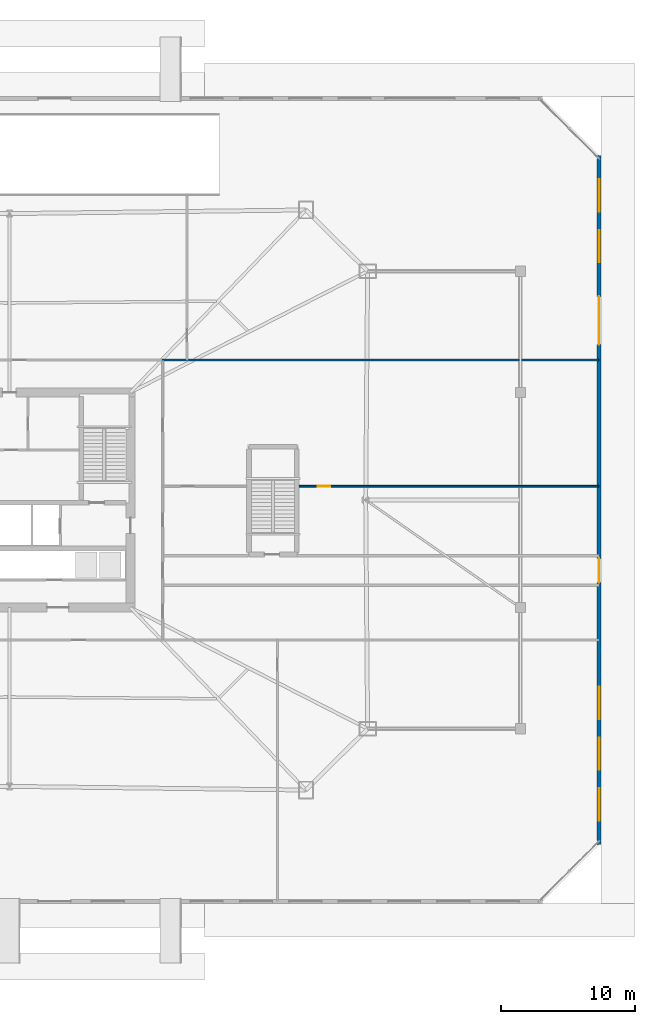
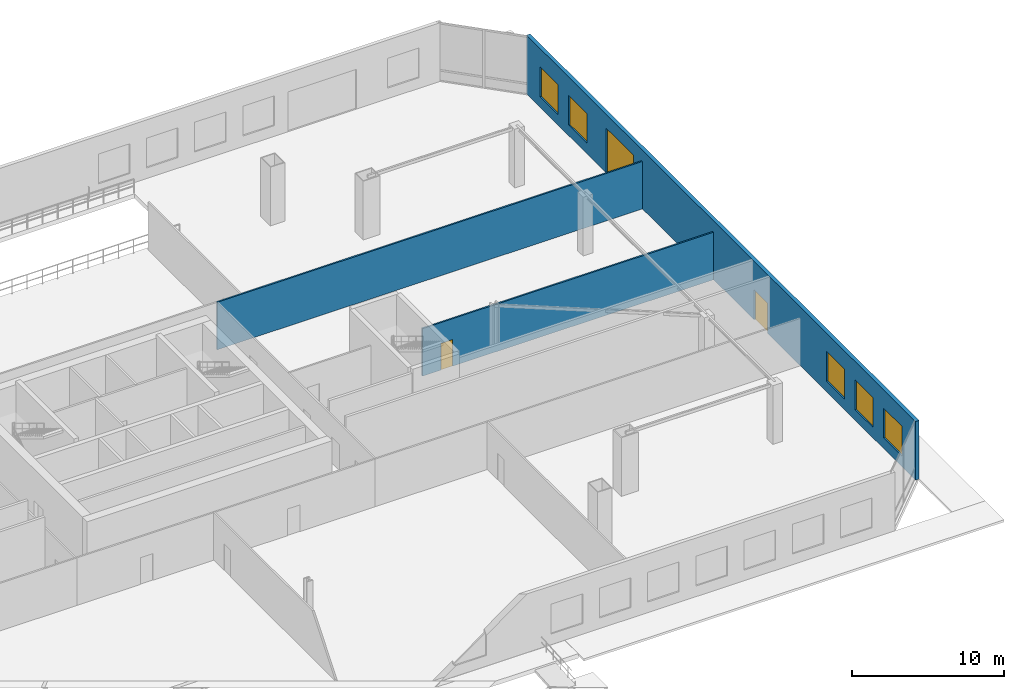
# One storey, part 17 of 23: 5 windows, 3 doors, 3 walls, 8 openings.
"""IFC4 building model written with IfcOpenShell, lengths in metres."""

from ifc_helpers import new_model, si_unit, direction, frame, frame_2d, origin, place, context, subcontext, project, spatial, rectangle, extrude, material, layer, layer_set, type_object, element, fill, save


model = new_model("IFC4")

# Units and contexts
model_context = context("Model", 3, precision=1e-05, world=origin(), true_north=direction((0.0, 1.0)))
body_context = subcontext(model_context, "Body", "Model", "MODEL_VIEW")
ifc_project = project(units=[si_unit("LENGTHUNIT", "METRE"), si_unit("AREAUNIT", "SQUARE_METRE"), si_unit("VOLUMEUNIT", "CUBIC_METRE"), si_unit("PLANEANGLEUNIT", "RADIAN"), si_unit("MASSUNIT", "GRAM", prefix="KILO")], contexts=[model_context])

# Site, building, storey
site_placement = place(None, origin())
site = spatial("IfcSite", under=ifc_project, at=site_placement, CompositionType="ELEMENT")
building_placement = place(site_placement, origin())
building = spatial("IfcBuilding", under=site, at=building_placement, Name="Caelvoria Tower", CompositionType="ELEMENT")
storey_placement = place(building_placement, origin())
storey = spatial("IfcBuildingStorey", under=building, at=storey_placement, Name="L00", CompositionType="ELEMENT", Elevation=0.0)

# Wall, openings, doors, windows
ifc_material_1 = material(Name="Precast Concrete C40/50 with Bronze Cladding", Category="concrete")
ifc_layer_1 = layer(ifc_material_1, 0.280029296875, Name="Precast Concrete C40/50 with Bronze Cladding")
ifc_layer_set_1 = layer_set([ifc_layer_1], Name="Exterior Precast Concrete C40/50 Bronze-Clad Facade Wall 280 - Precast Concrete C40/50 with Bronze Cladding")
wall_type_1 = type_object("IfcWallType", Name="Exterior Precast Concrete C40/50 Bronze-Clad Facade Wall 280", PredefinedType="STANDARD", material=ifc_layer_set_1)
wall_1_placement = place(storey_placement, frame((89.860107421875, 6.360107421875, 0.0), z_axis=(0.0, 0.0, 1.0), x_axis=(0.0, 1.0, 0.0)))
wall_1 = element("IfcWall", 1, at=wall_1_placement, inside=storey, type_object=wall_type_1, Name="Exterior Facade Wall L00-E2", PredefinedType="STANDARD", context=body_context, shape_type="SweptSolid", body=[
    extrude(rectangle(XDim=51.27978515625, YDim=0.280029296875, at=frame_2d((25.639892578125, 0.0))), origin(), (0.0, 0.0, 1.0), 4.719970703125),
])
opening_1_placement = place(wall_1_placement, frame((19.489990234375, 0.0, 0.0)))
opening_1 = element("IfcOpeningElement", 2, at=opening_1_placement, cuts=wall_1, Name="Opening ED-02", PredefinedType="OPENING", context=body_context, shape_type="SweptSolid", body=[
    extrude(rectangle(XDim=1.800048828125, YDim=2.39990234375, at=frame_2d((0.89990234375, 1.199951171875))), frame((0.0, 0.14990234375, 0.0), z_axis=(0.0, -1.0, 0.0), x_axis=(1.0, 0.0, 0.0)), (0.0, 0.0, 1.0), 0.300048828125),
])
opening_2_placement = place(wall_1_placement, frame((37.18994140625, 0.0, 0.0)))
opening_2 = element("IfcOpeningElement", 3, at=opening_2_placement, cuts=wall_1, Name="Opening GT-02", PredefinedType="OPENING", context=body_context, shape_type="SweptSolid", body=[
    extrude(rectangle(XDim=3.60009765625, YDim=3.60009765625, at=frame_2d((1.800048828125, 1.800048828125))), frame((0.0, 0.14990234375, 0.0), z_axis=(0.0, -1.0, 0.0), x_axis=(1.0, 0.0, 0.0)), (0.0, 0.0, 1.0), 0.300048828125),
])
opening_3_placement = place(wall_1_placement, frame((1.78759765625, 0.0, 0.85009765625)))
opening_3 = element("IfcOpeningElement", 4, at=opening_3_placement, cuts=wall_1, Name="Opening WN-04", PredefinedType="OPENING", context=body_context, shape_type="SweptSolid", body=[
    extrude(rectangle(XDim=2.39990234375, YDim=2.39990234375, at=frame_2d((1.199951171875, 1.199951171875))), frame((0.0, 0.14990234375, 0.0), z_axis=(0.0, -1.0, 0.0), x_axis=(1.0, 0.0, 0.0)), (0.0, 0.0, 1.0), 0.300048828125),
])
opening_4_placement = place(wall_1_placement, frame((5.56298828125, 0.0, 0.85009765625)))
opening_4 = element("IfcOpeningElement", 5, at=opening_4_placement, cuts=wall_1, Name="Opening WN-04", PredefinedType="OPENING", context=body_context, shape_type="SweptSolid", body=[
    extrude(rectangle(XDim=2.39990234375, YDim=2.39990234375, at=frame_2d((1.199951171875, 1.199951171875))), frame((0.0, 0.14990234375, 0.0), z_axis=(0.0, -1.0, 0.0), x_axis=(1.0, 0.0, 0.0)), (0.0, 0.0, 1.0), 0.300048828125),
])
opening_5_placement = place(wall_1_placement, frame((9.33837890625, 0.0, 0.85009765625)))
opening_5 = element("IfcOpeningElement", 6, at=opening_5_placement, cuts=wall_1, Name="Opening WN-04", PredefinedType="OPENING", context=body_context, shape_type="SweptSolid", body=[
    extrude(rectangle(XDim=2.39990234375, YDim=2.39990234375, at=frame_2d((1.199951171875, 1.199951171875))), frame((0.0, 0.14990234375, 0.0), z_axis=(0.0, -1.0, 0.0), x_axis=(1.0, 0.0, 0.0)), (0.0, 0.0, 1.0), 0.300048828125),
])
opening_6_placement = place(wall_1_placement, frame((43.31689453125, 0.0, 0.85009765625)))
opening_6 = element("IfcOpeningElement", 7, at=opening_6_placement, cuts=wall_1, Name="Opening WN-04", PredefinedType="OPENING", context=body_context, shape_type="SweptSolid", body=[
    extrude(rectangle(XDim=2.39990234375, YDim=2.39990234375, at=frame_2d((1.199951171875, 1.199951171875))), frame((0.0, 0.14990234375, 0.0), z_axis=(0.0, -1.0, 0.0), x_axis=(1.0, 0.0, 0.0)), (0.0, 0.0, 1.0), 0.300048828125),
])
opening_7_placement = place(wall_1_placement, frame((47.09228515625, 0.0, 0.85009765625)))
opening_7 = element("IfcOpeningElement", 8, at=opening_7_placement, cuts=wall_1, Name="Opening WN-04", PredefinedType="OPENING", context=body_context, shape_type="SweptSolid", body=[
    extrude(rectangle(XDim=2.39990234375, YDim=2.39990234375, at=frame_2d((1.199951171875, 1.199951171875))), frame((0.0, 0.14990234375, 0.0), z_axis=(0.0, -1.0, 0.0), x_axis=(1.0, 0.0, 0.0)), (0.0, 0.0, 1.0), 0.300048828125),
])
ifc_material_2 = material(Name="Galvanized Insulated Steel ASTM A653", Category="steel")
door_type_1 = type_object("IfcDoorType", Name="Loading Bay Insulated Roller Gate 3600x3600", OperationType="NOTDEFINED", PredefinedType="GATE", material=ifc_material_2)
door_1_placement = place(opening_2_placement, origin())
door_1 = element("IfcDoor", 9, at=door_1_placement, inside=storey, type_object=door_type_1, Name="Service Loading Bay Roller Gate", OperationType="ROLLINGUP", OverallHeight=3.60009765625, OverallWidth=3.60009765625, PredefinedType="GATE", context=body_context, shape_type="SweptSolid", body=[
    extrude(rectangle(XDim=3.60009765625, YDim=3.60009765625, at=frame_2d((1.800048828125, 1.800048828125))), frame((0.0, 0.02490234375, 0.0), z_axis=(0.0, -1.0, 0.0), x_axis=(1.0, 0.0, 0.0)), (0.0, 0.0, 1.0), 0.050048828125),
])
fill(opening_2, door_1)
ifc_material_3 = material(Name="Low-E Tinted Glass in Bronze Aluminium Frame", Category="aluminium")
window_type = type_object("IfcWindowType", Name="Podium Commercial Ribbon Window 2400x2400", PartitioningType="SINGLE_PANEL", PredefinedType="WINDOW", material=ifc_material_3)
window_1_placement = place(opening_3_placement, origin())
window_1 = element("IfcWindow", 10, at=window_1_placement, inside=storey, type_object=window_type, Name="Facade Window L00-E2-00", OverallHeight=2.39990234375, OverallWidth=2.39990234375, PartitioningType="SINGLE_PANEL", PredefinedType="WINDOW", context=body_context, shape_type="SweptSolid", body=[
    extrude(rectangle(XDim=2.39990234375, YDim=2.39990234375, at=frame_2d((1.199951171875, 1.199951171875))), frame((0.0, 0.030029296875, 0.0), z_axis=(0.0, -1.0, 0.0), x_axis=(1.0, 0.0, 0.0)), (0.0, 0.0, 1.0), 0.06005859375),
])
fill(opening_3, window_1)
window_2_placement = place(opening_4_placement, origin())
window_2 = element("IfcWindow", 11, at=window_2_placement, inside=storey, type_object=window_type, Name="Facade Window L00-E2-01", OverallHeight=2.39990234375, OverallWidth=2.39990234375, PartitioningType="SINGLE_PANEL", PredefinedType="WINDOW", context=body_context, shape_type="SweptSolid", body=[
    extrude(rectangle(XDim=2.39990234375, YDim=2.39990234375, at=frame_2d((1.199951171875, 1.199951171875))), frame((0.0, 0.030029296875, 0.0), z_axis=(0.0, -1.0, 0.0), x_axis=(1.0, 0.0, 0.0)), (0.0, 0.0, 1.0), 0.06005859375),
])
fill(opening_4, window_2)
window_3_placement = place(opening_5_placement, origin())
window_3 = element("IfcWindow", 12, at=window_3_placement, inside=storey, type_object=window_type, Name="Facade Window L00-E2-02", OverallHeight=2.39990234375, OverallWidth=2.39990234375, PartitioningType="SINGLE_PANEL", PredefinedType="WINDOW", context=body_context, shape_type="SweptSolid", body=[
    extrude(rectangle(XDim=2.39990234375, YDim=2.39990234375, at=frame_2d((1.199951171875, 1.199951171875))), frame((0.0, 0.030029296875, 0.0), z_axis=(0.0, -1.0, 0.0), x_axis=(1.0, 0.0, 0.0)), (0.0, 0.0, 1.0), 0.06005859375),
])
fill(opening_5, window_3)
window_4_placement = place(opening_6_placement, origin())
window_4 = element("IfcWindow", 13, at=window_4_placement, inside=storey, type_object=window_type, Name="Facade Window L00-E2-11", OverallHeight=2.39990234375, OverallWidth=2.39990234375, PartitioningType="SINGLE_PANEL", PredefinedType="WINDOW", context=body_context, shape_type="SweptSolid", body=[
    extrude(rectangle(XDim=2.39990234375, YDim=2.39990234375, at=frame_2d((1.199951171875, 1.199951171875))), frame((0.0, 0.030029296875, 0.0), z_axis=(0.0, -1.0, 0.0), x_axis=(1.0, 0.0, 0.0)), (0.0, 0.0, 1.0), 0.06005859375),
])
fill(opening_6, window_4)
window_5_placement = place(opening_7_placement, origin())
window_5 = element("IfcWindow", 14, at=window_5_placement, inside=storey, type_object=window_type, Name="Facade Window L00-E2-12", OverallHeight=2.39990234375, OverallWidth=2.39990234375, PartitioningType="SINGLE_PANEL", PredefinedType="WINDOW", context=body_context, shape_type="SweptSolid", body=[
    extrude(rectangle(XDim=2.39990234375, YDim=2.39990234375, at=frame_2d((1.199951171875, 1.199951171875))), frame((0.0, 0.030029296875, 0.0), z_axis=(0.0, -1.0, 0.0), x_axis=(1.0, 0.0, 0.0)), (0.0, 0.0, 1.0), 0.06005859375),
])
fill(opening_7, window_5)
ifc_material_4 = material(Name="Anodised Bronze Aluminium and Laminated Glass", Category="aluminium")
door_type_2 = type_object("IfcDoorType", Name="Retail Streetfront Glazed Door 1800x2400", OperationType="NOTDEFINED", PredefinedType="DOOR", material=ifc_material_4)
door_2_placement = place(opening_1_placement, frame((1.800048828125, 0.0, 0.0), z_axis=(0.0, 0.0, 1.0), x_axis=(-1.0, 0.0, 0.0)))
door_2 = element("IfcDoor", 15, at=door_2_placement, inside=storey, type_object=door_type_2, Name="East Protected Stair Exit Discharge Door", OperationType="DOUBLE_DOOR_SINGLE_SWING", OverallHeight=2.39990234375, OverallWidth=1.800048828125, PredefinedType="DOOR", context=body_context, shape_type="SweptSolid", body=[
    extrude(rectangle(XDim=1.800048828125, YDim=2.39990234375, at=frame_2d((0.89990234375, 1.199951171875))), frame((0.0, 0.02490234375, 0.0), z_axis=(0.0, -1.0, 0.0), x_axis=(1.0, 0.0, 0.0)), (0.0, 0.0, 1.0), 0.050048828125),
])
fill(opening_1, door_2)

# Wall, opening, door
ifc_material_5 = material(Name="Acoustic Gypsum Board on Light-Gauge Stud", Category="gypsum")
ifc_layer_2 = layer(ifc_material_5, 0.1201171875, Name="Acoustic Gypsum Board on Light-Gauge Stud")
ifc_layer_set_2 = layer_set([ifc_layer_2], Name="Tenant Suite Acoustic Partition Wall 120 - Acoustic Gypsum Board on Light-Gauge Stud")
wall_type_2 = type_object("IfcWallType", Name="Tenant Suite Acoustic Partition Wall 120", PredefinedType="PARTITIONING", material=ifc_layer_set_2)
wall_2_placement = place(storey_placement, frame((67.550048828125, 33.01904296875, 0.0), z_axis=(0.0, 0.0, 1.0), x_axis=(1.0, 0.0, 0.0)))
wall_2 = element("IfcWall", 16, at=wall_2_placement, inside=storey, type_object=wall_type_2, Name="Interior Partition IW-L00-ED-00-1", PredefinedType="PARTITIONING", context=body_context, shape_type="SweptSolid", body=[
    extrude(rectangle(XDim=22.27001953125, YDim=0.1201171875, at=frame_2d((11.135009765625, 0.0))), origin(), (0.0, 0.0, 1.0), 3.820068359375),
])
opening_8_placement = place(wall_2_placement, frame((1.39990234375, 0.0, 0.0)))
opening_8 = element("IfcOpeningElement", 17, at=opening_8_placement, cuts=wall_2, Name="Opening ID-06", PredefinedType="OPENING", context=body_context, shape_type="SweptSolid", body=[
    extrude(rectangle(XDim=0.89990234375, YDim=2.14990234375, at=frame_2d((0.449951171875, 1.074951171875))), frame((0.0, 0.070068359375, 0.0), z_axis=(0.0, -1.0, 0.0), x_axis=(1.0, 0.0, 0.0)), (0.0, 0.0, 1.0), 0.14013671875),
])
ifc_material_6 = material(Name="Engineered Andean Oak Veneer Door", Category="wood")
door_type_3 = type_object("IfcDoorType", Name="Interior Timber Door 900x2150", OperationType="NOTDEFINED", PredefinedType="DOOR", material=ifc_material_6)
door_3_placement = place(opening_8_placement, origin())
door_3 = element("IfcDoor", 18, at=door_3_placement, inside=storey, type_object=door_type_3, Name="Interior Door DR-L00-EM-00-1", OperationType="SINGLE_SWING_RIGHT", OverallHeight=2.14990234375, OverallWidth=0.89990234375, PredefinedType="DOOR", context=body_context, shape_type="SweptSolid", body=[
    extrude(rectangle(XDim=0.89990234375, YDim=2.14990234375, at=frame_2d((0.449951171875, 1.074951171875))), frame((0.0, 0.02490234375, 0.0), z_axis=(0.0, -1.0, 0.0), x_axis=(1.0, 0.0, 0.0)), (0.0, 0.0, 1.0), 0.050048828125),
])
fill(opening_8, door_3)

# Wall
wall_3_placement = place(storey_placement, frame((57.35009765625, 42.409912109375, 0.0), z_axis=(0.0, 0.0, 1.0), x_axis=(1.0, 0.0, 0.0)))
element("IfcWall", 19, at=wall_3_placement, inside=storey, type_object=wall_type_2, Name="Interior Partition IW-L00-BNE-0", PredefinedType="PARTITIONING", context=body_context, shape_type="SweptSolid", body=[
    extrude(rectangle(XDim=32.469970703125, YDim=0.1201171875, at=frame_2d((16.23486328125, 0.0))), origin(), (0.0, 0.0, 1.0), 3.820068359375),
])

save(model, "model.ifc")
